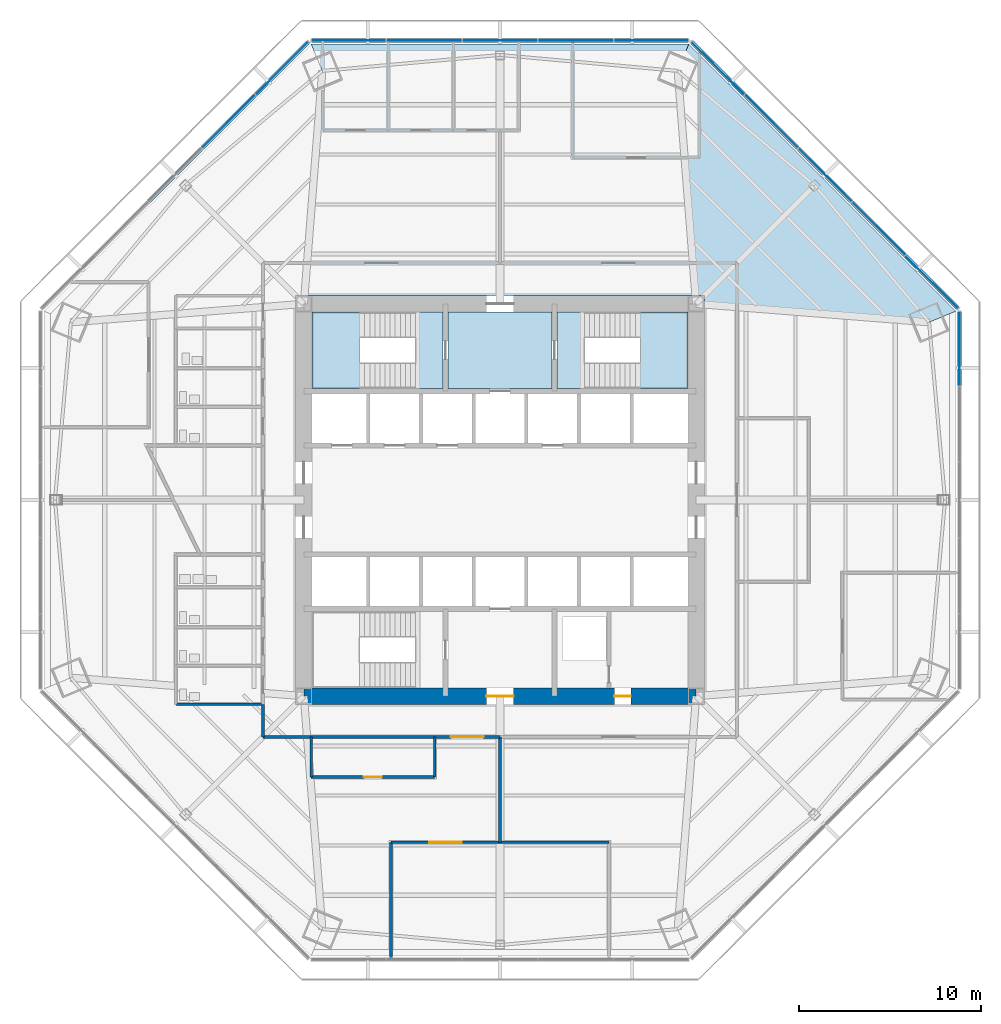
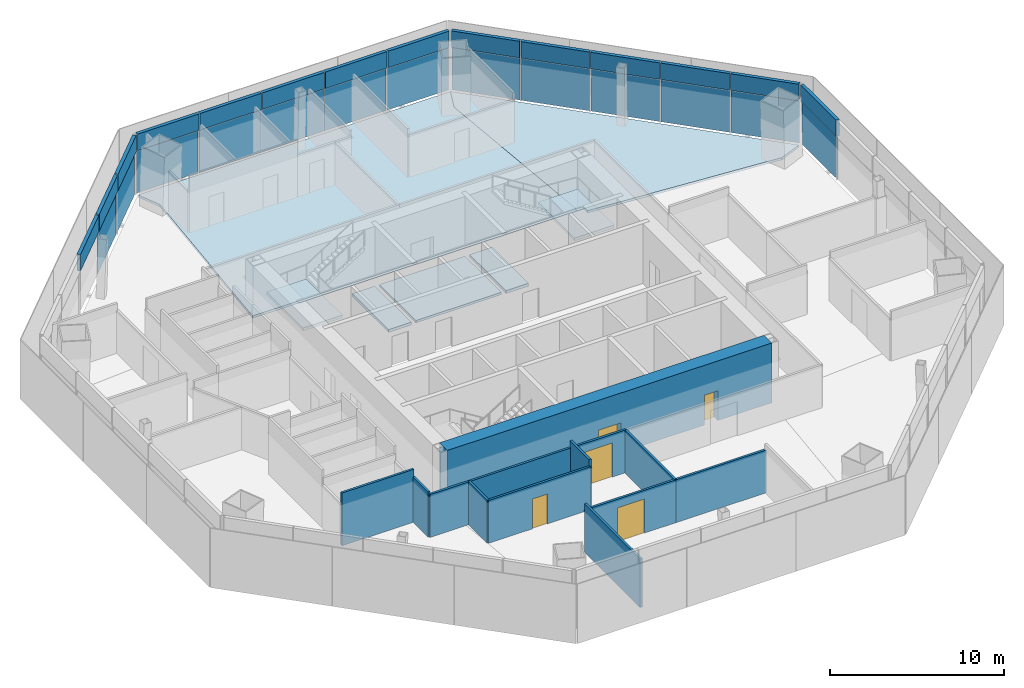
# One storey, part 9 of 16: 27 plates, 13 walls, 7 slabs, 5 doors, 5 openings, 6 elements without a shape of their own.
"""IFC4 building model written with IfcOpenShell, lengths in metres."""

from ifc_helpers import new_model, si_unit, direction, frame, frame_2d, origin, origin_2d, place, context, subcontext, project, spatial, polyline, rectangle, outline, extrude, source, transform, mapped, material, layer, layer_set, type_object, type_shapes, element, fill, aggregate, save


model = new_model("IFC4")

# Units and contexts
model_context = context("Model", 3, precision=1e-05, world=origin(), true_north=direction((0.0, 1.0)))
body_context = subcontext(model_context, "Body", "Model", "MODEL_VIEW")
ifc_project = project(units=[si_unit("LENGTHUNIT", "METRE"), si_unit("AREAUNIT", "SQUARE_METRE"), si_unit("VOLUMEUNIT", "CUBIC_METRE"), si_unit("PLANEANGLEUNIT", "RADIAN"), si_unit("MASSUNIT", "GRAM", prefix="KILO")], contexts=[model_context])

# Site, building, storey
site_placement = place(None, origin())
site = spatial("IfcSite", under=ifc_project, at=site_placement, CompositionType="ELEMENT")
building_placement = place(site_placement, origin())
building = spatial("IfcBuilding", under=site, at=building_placement, Name="Mashrafa Tower", CompositionType="ELEMENT")
storey_placement = place(building_placement, frame((0.0, 0.0, 96.0)))
storey = spatial("IfcBuildingStorey", under=building, at=storey_placement, Name="L21", CompositionType="ELEMENT", Elevation=96.0)

# Slabs
ifc_material_1 = material(Name="Concrete C35/45", Category="concrete")
ifc_layer_1 = layer(ifc_material_1, 0.1650390625)
ifc_layer_set_1 = layer_set([ifc_layer_1], Name="Floor slab 165")
slab_type_1 = type_object("IfcSlabType", Name="Floor slab 165", PredefinedType="FLOOR", material=ifc_layer_set_1)
slab_1_placement = place(storey_placement, frame((0.0, 0.0, -0.1650390625)))
element("IfcSlab", 1, at=slab_1_placement, inside=storey, type_object=slab_type_1, Name="Floor slab L21 north-east bay", PredefinedType="FLOOR", context=body_context, shape_type="SweptSolid", body=[
    extrude(outline(polyline([(10.396240234375, 25.09912109375), (25.09912109375, 10.396240234375), (25.09912109375, 10.396240234375), (23.62548828125, 9.785888671875), (11.25, 10.764404296875), (11.25, 11.25), (10.764404296875, 11.25), (9.785888671875, 23.62548828125), (10.396240234375, 25.09912109375), (10.396240234375, 25.09912109375)])), origin(), (0.0, 0.0, 1.0), 0.1650390625),
])
slab_2_placement = place(storey_placement, frame((0.0, 0.0, -0.1650390625)))
element("IfcSlab", 2, at=slab_2_placement, inside=storey, type_object=slab_type_1, Name="Floor slab L21 north bay", PredefinedType="FLOOR", context=body_context, shape_type="SweptSolid", body=[
    extrude(outline(polyline([(10.396240234375, 25.09912109375), (9.785888671875, 23.62548828125), (10.764404296875, 11.25), (-10.764404296875, 11.25), (-9.785888671875, 23.62548828125), (-10.396240234375, 25.09912109375), (10.396240234375, 25.09912109375)])), origin(), (0.0, 0.0, 1.0), 0.1650390625),
])
slab_3_placement = place(storey_placement, frame((0.0, 0.0, -0.1650390625)))
element("IfcSlab", 3, at=slab_3_placement, inside=storey, type_object=slab_type_1, Name="Core floor fire-fighting lobby north L21", PredefinedType="FLOOR", context=body_context, shape_type="SweptSolid", body=[
    extrude(outline(polyline([(-2.85009765625, 10.35009765625), (2.85009765625, 10.35009765625), (2.85009765625, 6.14990234375), (-2.85009765625, 6.14990234375), (-2.85009765625, 10.35009765625)])), origin(), (0.0, 0.0, 1.0), 0.1650390625),
])

# Stair, slabs
ifc_material_2 = material(Name="Exit stair 1400")
stair_type = type_object("IfcStairType", Name="Exit stair 1400", PredefinedType="HALF_TURN_STAIR", material=ifc_material_2)
stair_1_placement = place(storey_placement, origin())
stair_1 = element("IfcStair", 4, at=stair_1_placement, inside=storey, type_object=stair_type, Name="Stair S1 L21", PredefinedType="HALF_TURN_STAIR")
ifc_material_3 = material(Name="Concrete C32/40", Category="concrete")
ifc_layer_2 = layer(ifc_material_3, 0.199951171875)
ifc_layer_set_2 = layer_set([ifc_layer_2], Name="Stair landing 200")
slab_type_2 = type_object("IfcSlabType", Name="Stair landing 200", PredefinedType="LANDING", material=ifc_layer_set_2)
slab_4_placement = place(storey_placement, frame((0.0, 0.0, -0.199951171875)))
slab_4 = element("IfcSlab", 5, at=slab_4_placement, type_object=slab_type_2, Name="S1 landing 1", PredefinedType="LANDING", context=body_context, shape_type="SweptSolid", body=[
    extrude(outline(polyline([(-4.659912109375, 6.14990234375), (-3.14990234375, 6.14990234375), (-3.14990234375, 10.35009765625), (-4.659912109375, 10.35009765625), (-4.659912109375, 6.14990234375)])), origin(), (0.0, 0.0, 1.0), 0.199951171875),
])
slab_5_placement = place(storey_placement, frame((0.0, 0.0, 1.89990234375)))
slab_5 = element("IfcSlab", 6, at=slab_5_placement, type_object=slab_type_2, Name="S1 landing 2", PredefinedType="LANDING", context=body_context, shape_type="SweptSolid", body=[
    extrude(outline(polyline([(-10.35009765625, 6.14990234375), (-7.719970703125, 6.14990234375), (-7.719970703125, 10.35009765625), (-10.35009765625, 10.35009765625), (-10.35009765625, 6.14990234375)])), origin(), (0.0, 0.0, 1.0), 0.2001953125),
])
aggregate(stair_1, [slab_4, slab_5])

stair_2_placement = place(storey_placement, origin())
stair_2 = element("IfcStair", 7, at=stair_2_placement, inside=storey, type_object=stair_type, Name="Stair S2 L21", PredefinedType="HALF_TURN_STAIR")
slab_6_placement = place(storey_placement, frame((0.0, 0.0, -0.199951171875)))
slab_6 = element("IfcSlab", 8, at=slab_6_placement, type_object=slab_type_2, Name="S2 landing 1", PredefinedType="LANDING", context=body_context, shape_type="SweptSolid", body=[
    extrude(outline(polyline([(3.14990234375, 6.14990234375), (4.659912109375, 6.14990234375), (4.659912109375, 10.35009765625), (3.14990234375, 10.35009765625), (3.14990234375, 6.14990234375)])), origin(), (0.0, 0.0, 1.0), 0.199951171875),
])
slab_7_placement = place(storey_placement, frame((0.0, 0.0, 1.89990234375)))
slab_7 = element("IfcSlab", 9, at=slab_7_placement, type_object=slab_type_2, Name="S2 landing 2", PredefinedType="LANDING", context=body_context, shape_type="SweptSolid", body=[
    extrude(outline(polyline([(7.719970703125, 6.14990234375), (10.35009765625, 6.14990234375), (10.35009765625, 10.35009765625), (7.719970703125, 10.35009765625), (7.719970703125, 6.14990234375)])), origin(), (0.0, 0.0, 1.0), 0.2001953125),
])
aggregate(stair_2, [slab_6, slab_7])

# Curtain wall, plate
ifc_material_4 = material(Name="Unitised aluminium curtain wall", Category="aluminium")
curtain_wall_type = type_object("IfcCurtainWallType", Name="Office curtain wall, zone 1 CW-A 200 deep", PredefinedType="NOTDEFINED", material=ifc_material_4)
curtain_wall_1_placement = place(storey_placement, origin())
curtain_wall_1 = element("IfcCurtainWall", 10, at=curtain_wall_1_placement, inside=storey, type_object=curtain_wall_type, Name="Office curtain wall, zone 1 L21 east", PredefinedType="NOTDEFINED")
ifc_material_5 = material(Name="Insulated double glazing, low-e, neutral", Category="glass")
ifc_layer_3 = layer(ifc_material_5, 0.028076171875)
ifc_layer_set_3 = layer_set([ifc_layer_3], Name="Vision panel CW-A 28")
plate_type_1 = type_object("IfcPlateType", Name="Vision panel CW-A 28", PredefinedType="CURTAIN_PANEL", material=ifc_layer_set_3)
shared_shape_1 = source(origin(), body_context, "Body", "SweptSolid", [
    extrude(rectangle(XDim=4.07373046875, YDim=0.028076171875, at=origin_2d()), origin(), (0.0, 0.0, 1.0), 2.9599609375),
])
plate_1_placement = place(storey_placement, frame((25.299072265625, 8.325927734375, 0.0), z_axis=(0.0, 0.0, 1.0), x_axis=(0.0, 1.0, 0.0)))
plate_1 = element("IfcPlate", 11, at=plate_1_placement, type_object=plate_type_1, Name="CW-A vision panel 5", PredefinedType="CURTAIN_PANEL", context=body_context, shape_type="MappedRepresentation", body=[
    mapped(shared_shape_1, transform((0.0, 0.0, 0.0))),
])

# Curtain wall, plates
curtain_wall_2_placement = place(storey_placement, origin())
curtain_wall_2 = element("IfcCurtainWall", 12, at=curtain_wall_2_placement, inside=storey, type_object=curtain_wall_type, Name="Office curtain wall, zone 1 L21 north-east", PredefinedType="NOTDEFINED")
plate_2_placement = place(storey_placement, frame((23.7763671875, 12.001708984375, 0.0), z_axis=(0.0, 0.0, 1.0), x_axis=(-0.707106781187, 0.707106781187, 0.0)))
plate_2 = element("IfcPlate", 13, at=plate_2_placement, type_object=plate_type_1, Name="CW-A vision panel 1", PredefinedType="CURTAIN_PANEL", context=body_context, shape_type="MappedRepresentation", body=[
    mapped(shared_shape_1, transform((0.0, 0.0, 0.0))),
])
plate_3_placement = place(storey_placement, frame((12.001708984375, 23.7763671875, 0.0), z_axis=(0.0, 0.0, 1.0), x_axis=(-0.707106781187, 0.707106781187, 0.0)))
plate_3 = element("IfcPlate", 14, at=plate_3_placement, type_object=plate_type_1, Name="CW-A vision panel 5", PredefinedType="CURTAIN_PANEL", context=body_context, shape_type="MappedRepresentation", body=[
    mapped(shared_shape_1, transform((0.0, 0.0, 0.0))),
])

curtain_wall_3_placement = place(storey_placement, origin())
curtain_wall_3 = element("IfcCurtainWall", 15, at=curtain_wall_3_placement, inside=storey, type_object=curtain_wall_type, Name="Office curtain wall, zone 1 L21 north", PredefinedType="NOTDEFINED")
plate_4_placement = place(storey_placement, frame((8.325927734375, 25.299072265625, 0.0), z_axis=(0.0, 0.0, 1.0), x_axis=(-1.0, 0.0, 0.0)))
plate_4 = element("IfcPlate", 16, at=plate_4_placement, type_object=plate_type_1, Name="CW-A vision panel 1", PredefinedType="CURTAIN_PANEL", context=body_context, shape_type="MappedRepresentation", body=[
    mapped(shared_shape_1, transform((0.0, 0.0, 0.0))),
])
plate_5_placement = place(storey_placement, frame((-8.325927734375, 25.299072265625, 0.0), z_axis=(0.0, 0.0, 1.0), x_axis=(-1.0, 0.0, 0.0)))
plate_5 = element("IfcPlate", 17, at=plate_5_placement, type_object=plate_type_1, Name="CW-A vision panel 5", PredefinedType="CURTAIN_PANEL", context=body_context, shape_type="MappedRepresentation", body=[
    mapped(shared_shape_1, transform((0.0, 0.0, 0.0))),
])

# Curtain wall, plate
curtain_wall_4_placement = place(storey_placement, origin())
curtain_wall_4 = element("IfcCurtainWall", 18, at=curtain_wall_4_placement, inside=storey, type_object=curtain_wall_type, Name="Office curtain wall, zone 1 L21 north-west", PredefinedType="NOTDEFINED")
plate_6_placement = place(storey_placement, frame((-12.001708984375, 23.7763671875, 0.0), z_axis=(0.0, 0.0, 1.0), x_axis=(-0.707106781187, -0.707106781187, 0.0)))
plate_6 = element("IfcPlate", 19, at=plate_6_placement, type_object=plate_type_1, Name="CW-A vision panel 1", PredefinedType="CURTAIN_PANEL", context=body_context, shape_type="MappedRepresentation", body=[
    mapped(shared_shape_1, transform((0.0, 0.0, 0.0))),
])

# Plate
ifc_material_6 = material(Name="Insulated aluminium spandrel panel", Category="aluminium")
ifc_layer_4 = layer(ifc_material_6, 0.219970703125)
ifc_layer_set_4 = layer_set([ifc_layer_4], Name="Spandrel panel CW-A 220")
plate_type_2 = type_object("IfcPlateType", Name="Spandrel panel CW-A 220", PredefinedType="CURTAIN_PANEL", material=ifc_layer_set_4)
shared_shape_2 = source(origin(), body_context, "Body", "SweptSolid", [
    extrude(rectangle(XDim=4.07373046875, YDim=0.219970703125, at=origin_2d()), origin(), (0.0, 0.0, 1.0), 1.159912109375),
])
plate_7_placement = place(storey_placement, frame((25.299072265625, 8.325927734375, 3.0400390625), z_axis=(0.0, 0.0, 1.0), x_axis=(0.0, 1.0, 0.0)))
plate_7 = element("IfcPlate", 20, at=plate_7_placement, type_object=plate_type_2, Name="CW-A spandrel panel 5", PredefinedType="CURTAIN_PANEL", context=body_context, shape_type="MappedRepresentation", body=[
    mapped(shared_shape_2, transform((0.0, 0.0, 0.0))),
])

aggregate(curtain_wall_1, [plate_1, plate_7])

plate_8_placement = place(storey_placement, frame((23.7763671875, 12.001708984375, 3.0400390625), z_axis=(0.0, 0.0, 1.0), x_axis=(-0.707106781187, 0.707106781187, 0.0)))
plate_8 = element("IfcPlate", 21, at=plate_8_placement, type_object=plate_type_2, Name="CW-A spandrel panel 1", PredefinedType="CURTAIN_PANEL", context=body_context, shape_type="MappedRepresentation", body=[
    mapped(shared_shape_2, transform((0.0, 0.0, 0.0))),
])

plate_9_placement = place(storey_placement, frame((12.001708984375, 23.7763671875, 3.0400390625), z_axis=(0.0, 0.0, 1.0), x_axis=(-0.707106781187, 0.707106781187, 0.0)))
plate_9 = element("IfcPlate", 22, at=plate_9_placement, type_object=plate_type_2, Name="CW-A spandrel panel 5", PredefinedType="CURTAIN_PANEL", context=body_context, shape_type="MappedRepresentation", body=[
    mapped(shared_shape_2, transform((0.0, 0.0, 0.0))),
])

plate_10_placement = place(storey_placement, frame((8.325927734375, 25.299072265625, 3.0400390625), z_axis=(0.0, 0.0, 1.0), x_axis=(-1.0, 0.0, 0.0)))
plate_10 = element("IfcPlate", 23, at=plate_10_placement, type_object=plate_type_2, Name="CW-A spandrel panel 1", PredefinedType="CURTAIN_PANEL", context=body_context, shape_type="MappedRepresentation", body=[
    mapped(shared_shape_2, transform((0.0, 0.0, 0.0))),
])

plate_11_placement = place(storey_placement, frame((-8.325927734375, 25.299072265625, 3.0400390625), z_axis=(0.0, 0.0, 1.0), x_axis=(-1.0, 0.0, 0.0)))
plate_11 = element("IfcPlate", 24, at=plate_11_placement, type_object=plate_type_2, Name="CW-A spandrel panel 5", PredefinedType="CURTAIN_PANEL", context=body_context, shape_type="MappedRepresentation", body=[
    mapped(shared_shape_2, transform((0.0, 0.0, 0.0))),
])

plate_12_placement = place(storey_placement, frame((-12.001708984375, 23.7763671875, 3.0400390625), z_axis=(0.0, 0.0, 1.0), x_axis=(-0.707106781187, -0.707106781187, 0.0)))
plate_12 = element("IfcPlate", 25, at=plate_12_placement, type_object=plate_type_2, Name="CW-A spandrel panel 1", PredefinedType="CURTAIN_PANEL", context=body_context, shape_type="MappedRepresentation", body=[
    mapped(shared_shape_2, transform((0.0, 0.0, 0.0))),
])

shared_shape_3 = source(origin(), body_context, "Body", "SweptSolid", [
    extrude(rectangle(XDim=4.106201171875, YDim=0.028076171875, at=origin_2d()), origin(), (0.0, 0.0, 1.0), 2.9599609375),
])
type_shapes(plate_type_1, [shared_shape_1, shared_shape_3])
plate_13_placement = place(storey_placement, frame((20.838623046875, 14.939697265625, 0.0), z_axis=(0.0, 0.0, 1.0), x_axis=(-0.707106781187, 0.707106781187, 0.0)))
plate_13 = element("IfcPlate", 26, at=plate_13_placement, type_object=plate_type_1, Name="CW-A vision panel 2", PredefinedType="CURTAIN_PANEL", context=body_context, shape_type="MappedRepresentation", body=[
    mapped(shared_shape_3, transform((0.0, 0.0, 0.0))),
])

plate_14_placement = place(storey_placement, frame((17.88916015625, 17.88916015625, 0.0), z_axis=(0.0, 0.0, 1.0), x_axis=(-0.707106781187, 0.707106781187, 0.0)))
plate_14 = element("IfcPlate", 27, at=plate_14_placement, type_object=plate_type_1, Name="CW-A vision panel 3", PredefinedType="CURTAIN_PANEL", context=body_context, shape_type="MappedRepresentation", body=[
    mapped(shared_shape_3, transform((0.0, 0.0, 0.0))),
])

plate_15_placement = place(storey_placement, frame((14.939697265625, 20.838623046875, 0.0), z_axis=(0.0, 0.0, 1.0), x_axis=(-0.707106781187, 0.707106781187, 0.0)))
plate_15 = element("IfcPlate", 28, at=plate_15_placement, type_object=plate_type_1, Name="CW-A vision panel 4", PredefinedType="CURTAIN_PANEL", context=body_context, shape_type="MappedRepresentation", body=[
    mapped(shared_shape_3, transform((0.0, 0.0, 0.0))),
])

plate_16_placement = place(storey_placement, frame((4.171142578125, 25.299072265625, 0.0), z_axis=(0.0, 0.0, 1.0), x_axis=(-1.0, 0.0, 0.0)))
plate_16 = element("IfcPlate", 29, at=plate_16_placement, type_object=plate_type_1, Name="CW-A vision panel 2", PredefinedType="CURTAIN_PANEL", context=body_context, shape_type="MappedRepresentation", body=[
    mapped(shared_shape_3, transform((0.0, 0.0, 0.0))),
])

plate_17_placement = place(storey_placement, frame((0.0, 25.299072265625, 0.0), z_axis=(0.0, 0.0, 1.0), x_axis=(-1.0, 0.0, 0.0)))
plate_17 = element("IfcPlate", 30, at=plate_17_placement, type_object=plate_type_1, Name="CW-A vision panel 3", PredefinedType="CURTAIN_PANEL", context=body_context, shape_type="MappedRepresentation", body=[
    mapped(shared_shape_3, transform((0.0, 0.0, 0.0))),
])

plate_18_placement = place(storey_placement, frame((-4.171142578125, 25.299072265625, 0.0), z_axis=(0.0, 0.0, 1.0), x_axis=(-1.0, 0.0, 0.0)))
plate_18 = element("IfcPlate", 31, at=plate_18_placement, type_object=plate_type_1, Name="CW-A vision panel 4", PredefinedType="CURTAIN_PANEL", context=body_context, shape_type="MappedRepresentation", body=[
    mapped(shared_shape_3, transform((0.0, 0.0, 0.0))),
])

plate_19_placement = place(storey_placement, frame((-14.939697265625, 20.838623046875, 0.0), z_axis=(0.0, 0.0, 1.0), x_axis=(-0.707106781187, -0.707106781187, 0.0)))
plate_19 = element("IfcPlate", 32, at=plate_19_placement, type_object=plate_type_1, Name="CW-A vision panel 2", PredefinedType="CURTAIN_PANEL", context=body_context, shape_type="MappedRepresentation", body=[
    mapped(shared_shape_3, transform((0.0, 0.0, 0.0))),
])

shared_shape_4 = source(origin(), body_context, "Body", "SweptSolid", [
    extrude(rectangle(XDim=4.106201171875, YDim=0.219970703125, at=origin_2d()), origin(), (0.0, 0.0, 1.0), 1.159912109375),
])
type_shapes(plate_type_2, [shared_shape_2, shared_shape_4])
plate_20_placement = place(storey_placement, frame((20.838623046875, 14.939697265625, 3.0400390625), z_axis=(0.0, 0.0, 1.0), x_axis=(-0.707106781187, 0.707106781187, 0.0)))
plate_20 = element("IfcPlate", 33, at=plate_20_placement, type_object=plate_type_2, Name="CW-A spandrel panel 2", PredefinedType="CURTAIN_PANEL", context=body_context, shape_type="MappedRepresentation", body=[
    mapped(shared_shape_4, transform((0.0, 0.0, 0.0))),
])

plate_21_placement = place(storey_placement, frame((17.88916015625, 17.88916015625, 3.0400390625), z_axis=(0.0, 0.0, 1.0), x_axis=(-0.707106781187, 0.707106781187, 0.0)))
plate_21 = element("IfcPlate", 34, at=plate_21_placement, type_object=plate_type_2, Name="CW-A spandrel panel 3", PredefinedType="CURTAIN_PANEL", context=body_context, shape_type="MappedRepresentation", body=[
    mapped(shared_shape_4, transform((0.0, 0.0, 0.0))),
])

plate_22_placement = place(storey_placement, frame((14.939697265625, 20.838623046875, 3.0400390625), z_axis=(0.0, 0.0, 1.0), x_axis=(-0.707106781187, 0.707106781187, 0.0)))
plate_22 = element("IfcPlate", 35, at=plate_22_placement, type_object=plate_type_2, Name="CW-A spandrel panel 4", PredefinedType="CURTAIN_PANEL", context=body_context, shape_type="MappedRepresentation", body=[
    mapped(shared_shape_4, transform((0.0, 0.0, 0.0))),
])

aggregate(curtain_wall_2, [plate_2, plate_8, plate_13, plate_20, plate_14, plate_21, plate_15, plate_22, plate_3, plate_9])

plate_23_placement = place(storey_placement, frame((4.171142578125, 25.299072265625, 3.0400390625), z_axis=(0.0, 0.0, 1.0), x_axis=(-1.0, 0.0, 0.0)))
plate_23 = element("IfcPlate", 36, at=plate_23_placement, type_object=plate_type_2, Name="CW-A spandrel panel 2", PredefinedType="CURTAIN_PANEL", context=body_context, shape_type="MappedRepresentation", body=[
    mapped(shared_shape_4, transform((0.0, 0.0, 0.0))),
])

plate_24_placement = place(storey_placement, frame((0.0, 25.299072265625, 3.0400390625), z_axis=(0.0, 0.0, 1.0), x_axis=(-1.0, 0.0, 0.0)))
plate_24 = element("IfcPlate", 37, at=plate_24_placement, type_object=plate_type_2, Name="CW-A spandrel panel 3", PredefinedType="CURTAIN_PANEL", context=body_context, shape_type="MappedRepresentation", body=[
    mapped(shared_shape_4, transform((0.0, 0.0, 0.0))),
])

plate_25_placement = place(storey_placement, frame((-4.171142578125, 25.299072265625, 3.0400390625), z_axis=(0.0, 0.0, 1.0), x_axis=(-1.0, 0.0, 0.0)))
plate_25 = element("IfcPlate", 38, at=plate_25_placement, type_object=plate_type_2, Name="CW-A spandrel panel 4", PredefinedType="CURTAIN_PANEL", context=body_context, shape_type="MappedRepresentation", body=[
    mapped(shared_shape_4, transform((0.0, 0.0, 0.0))),
])

aggregate(curtain_wall_3, [plate_4, plate_10, plate_16, plate_23, plate_17, plate_24, plate_18, plate_25, plate_5, plate_11])

plate_26_placement = place(storey_placement, frame((-14.939697265625, 20.838623046875, 3.0400390625), z_axis=(0.0, 0.0, 1.0), x_axis=(-0.707106781187, -0.707106781187, 0.0)))
plate_26 = element("IfcPlate", 39, at=plate_26_placement, type_object=plate_type_2, Name="CW-A spandrel panel 2", PredefinedType="CURTAIN_PANEL", context=body_context, shape_type="MappedRepresentation", body=[
    mapped(shared_shape_4, transform((0.0, 0.0, 0.0))),
])

plate_27_placement = place(storey_placement, frame((-17.88916015625, 17.88916015625, 3.0400390625), z_axis=(0.0, 0.0, 1.0), x_axis=(-0.707106781187, -0.707106781187, 0.0)))
plate_27 = element("IfcPlate", 40, at=plate_27_placement, type_object=plate_type_2, Name="CW-A spandrel panel 3", PredefinedType="CURTAIN_PANEL", context=body_context, shape_type="MappedRepresentation", body=[
    mapped(shared_shape_4, transform((0.0, 0.0, 0.0))),
])

aggregate(curtain_wall_4, [plate_6, plate_12, plate_19, plate_26, plate_27])

# Wall, openings, doors
ifc_material_7 = material(Name="Concrete C60/75", Category="concrete")
ifc_layer_5 = layer(ifc_material_7, 0.89990234375)
ifc_layer_set_5 = layer_set([ifc_layer_5], Name="Core wall 900 C60/75")
wall_type_1 = type_object("IfcWallType", Name="Core wall 900 C60/75", PredefinedType="SOLIDWALL", material=ifc_layer_set_5)
wall_1_placement = place(storey_placement, frame((-10.800048828125, -10.800048828125, 0.0), z_axis=(0.0, 0.0, 1.0), x_axis=(1.0, 0.0, 0.0)))
wall_1 = element("IfcWall", 41, at=wall_1_placement, inside=storey, type_object=wall_type_1, Name="Core wall CW-S L21", PredefinedType="SOLIDWALL", context=body_context, shape_type="SweptSolid", body=[
    extrude(rectangle(XDim=21.60009765625, YDim=0.89990234375, at=frame_2d((10.800048828125, 0.0))), origin(), (0.0, 0.0, 1.0), 4.199951171875),
])
opening_1_placement = place(wall_1_placement, frame((10.050048828125, 0.0, 0.0)))
opening_1 = element("IfcOpeningElement", 42, at=opening_1_placement, cuts=wall_1, Name="Opening 21.028", PredefinedType="OPENING", context=body_context, shape_type="SweptSolid", body=[
    extrude(rectangle(XDim=1.5, YDim=2.10009765625, at=frame_2d((0.75, 1.050048828125))), frame((0.0, 0.4599609375, 0.0), z_axis=(0.0, -1.0, 0.0), x_axis=(1.0, 0.0, 0.0)), (0.0, 0.0, 1.0), 0.919921875),
])
opening_2_placement = place(wall_1_placement, frame((17.10009765625, 0.0, 0.0)))
opening_2 = element("IfcOpeningElement", 43, at=opening_2_placement, cuts=wall_1, Name="Opening 21.032", PredefinedType="OPENING", context=body_context, shape_type="SweptSolid", body=[
    extrude(rectangle(XDim=0.89990234375, YDim=2.10009765625, at=frame_2d((0.449951171875, 1.050048828125))), frame((0.0, 0.4599609375, 0.0), z_axis=(0.0, -1.0, 0.0), x_axis=(1.0, 0.0, 0.0)), (0.0, 0.0, 1.0), 0.919921875),
])
ifc_material_8 = material(Name="Steel door", Category="steel")
door_type_1 = type_object("IfcDoorType", Name="Lobby door pair 1500 x 2100 90 min", OperationType="DOUBLE_DOOR_SINGLE_SWING", PredefinedType="DOOR", material=ifc_material_8)
door_1_placement = place(opening_1_placement, origin())
door_1 = element("IfcDoor", 44, at=door_1_placement, inside=storey, type_object=door_type_1, Name="Fire-fighting lobby F2 door L21", OperationType="DOUBLE_DOOR_SINGLE_SWING", OverallHeight=2.10009765625, OverallWidth=1.5, PredefinedType="DOOR", context=body_context, shape_type="SweptSolid", body=[
    extrude(rectangle(XDim=1.5, YDim=2.10009765625, at=frame_2d((0.75, 1.050048828125))), frame((0.0, 0.02490234375, 0.0), z_axis=(0.0, -1.0, 0.0), x_axis=(1.0, 0.0, 0.0)), (0.0, 0.0, 1.0), 0.050048828125),
])
fill(opening_1, door_1)
ifc_material_9 = material(Name="Steel door", Category="steel")
door_type_2 = type_object("IfcDoorType", Name="Service door 900 x 2100 90 min", OperationType="USERDEFINED", PredefinedType="DOOR", material=ifc_material_9)
door_2_placement = place(opening_2_placement, origin())
door_2 = element("IfcDoor", 45, at=door_2_placement, inside=storey, type_object=door_type_2, Name="Tenant Store L21 door", OperationType="SINGLE_SWING_LEFT", OverallHeight=2.10009765625, OverallWidth=0.89990234375, PredefinedType="DOOR", context=body_context, shape_type="SweptSolid", body=[
    extrude(rectangle(XDim=0.89990234375, YDim=2.10009765625, at=frame_2d((0.449951171875, 1.050048828125))), frame((0.0, 0.02490234375, 0.0), z_axis=(0.0, -1.0, 0.0), x_axis=(1.0, 0.0, 0.0)), (0.0, 0.0, 1.0), 0.050048828125),
])
fill(opening_2, door_2)

# Walls
ifc_material_10 = material(Name="Gypsum board on steel studs", Category="steel")
ifc_layer_6 = layer(ifc_material_10, 0.14990234375)
ifc_layer_set_6 = layer_set([ifc_layer_6], Name="Corridor partition 150 1 hr")
wall_type_2 = type_object("IfcWallType", Name="Corridor partition 150 1 hr", PredefinedType="PARTITIONING", material=ifc_layer_set_6)
wall_2_placement = place(storey_placement, frame((-10.40087890625, -13.050048828125, 0.0), z_axis=(0.0, 0.0, 1.0), x_axis=(1.0, 0.0, 0.0)))
element("IfcWall", 46, at=wall_2_placement, inside=storey, type_object=wall_type_2, Name="Corridor wall L21-011", PredefinedType="PARTITIONING", context=body_context, shape_type="SweptSolid", body=[
    extrude(rectangle(XDim=6.8017578125, YDim=0.14990234375, at=frame_2d((3.40087890625, 0.0))), origin(), (0.0, 0.0, 1.0), 3.01416015625),
])
wall_3_placement = place(storey_placement, frame((-13.050048828125, -11.2490234375, 0.0), z_axis=(0.0, 0.0, 1.0), x_axis=(0.0, -1.0, 0.0)))
element("IfcWall", 47, at=wall_3_placement, inside=storey, type_object=wall_type_2, Name="Corridor wall L21-016", PredefinedType="PARTITIONING", context=body_context, shape_type="SweptSolid", body=[
    extrude(rectangle(XDim=1.801025390625, YDim=0.14990234375, at=frame_2d((0.900390625, 0.0))), origin(), (0.0, 0.0, 1.0), 3.17919921875),
])
wall_4_placement = place(storey_placement, frame((-13.050048828125, -13.050048828125, 0.0), z_axis=(0.0, 0.0, 1.0), x_axis=(1.0, 0.0, 0.0)))
element("IfcWall", 48, at=wall_4_placement, inside=storey, type_object=wall_type_2, Name="Corridor wall L21-017", PredefinedType="PARTITIONING", context=body_context, shape_type="SweptSolid", body=[
    extrude(rectangle(XDim=2.651123046875, YDim=0.14990234375, at=frame_2d((1.32568359375, 0.0))), origin(), (0.0, 0.0, 1.0), 3.01416015625),
])

# Wall, opening, door
wall_5_placement = place(storey_placement, frame((-3.60107421875, -13.050048828125, 0.0), z_axis=(0.0, 0.0, 1.0), x_axis=(1.0, 0.0, 0.0)))
wall_5 = element("IfcWall", 49, at=wall_5_placement, inside=storey, type_object=wall_type_2, Name="Corridor wall L21-018", PredefinedType="PARTITIONING", context=body_context, shape_type="SweptSolid", body=[
    extrude(rectangle(XDim=3.60205078125, YDim=0.14990234375, at=frame_2d((1.801025390625, 0.0))), origin(), (0.0, 0.0, 1.0), 3.01416015625),
])
opening_3_placement = place(wall_5_placement, frame((0.90087890625, 0.0, 0.0)))
opening_3 = element("IfcOpeningElement", 50, at=opening_3_placement, cuts=wall_5, Name="Opening 21.021", PredefinedType="OPENING", context=body_context, shape_type="SweptSolid", body=[
    extrude(rectangle(XDim=1.800048828125, YDim=2.39990234375, at=frame_2d((0.89990234375, 1.199951171875))), frame((0.0, 0.0849609375, 0.0), z_axis=(0.0, -1.0, 0.0), x_axis=(1.0, 0.0, 0.0)), (0.0, 0.0, 1.0), 0.169921875),
])
ifc_material_11 = material(Name="Timber door", Category="wood")
door_type_3 = type_object("IfcDoorType", Name="Door pair 1800 x 2400", OperationType="DOUBLE_DOOR_SINGLE_SWING", PredefinedType="DOOR", material=ifc_material_11)
door_3_placement = place(opening_3_placement, frame((1.800048828125, 0.0, 0.0), z_axis=(0.0, 0.0, 1.0), x_axis=(-1.0, 0.0, 0.0)))
door_3 = element("IfcDoor", 51, at=door_3_placement, inside=storey, type_object=door_type_3, Name="Investor Relations Office 21-SW door", OperationType="DOUBLE_DOOR_SINGLE_SWING", OverallHeight=2.39990234375, OverallWidth=1.800048828125, PredefinedType="DOOR", context=body_context, shape_type="SweptSolid", body=[
    extrude(rectangle(XDim=1.800048828125, YDim=2.39990234375, at=frame_2d((0.89990234375, 1.199951171875))), frame((0.0, 0.02490234375, 0.0), z_axis=(0.0, -1.0, 0.0), x_axis=(1.0, 0.0, 0.0)), (0.0, 0.0, 1.0), 0.050048828125),
])
fill(opening_3, door_3)

# Wall
ifc_material_12 = material(Name="Gypsum board on steel studs", Category="steel")
ifc_layer_7 = layer(ifc_material_12, 0.14990234375)
ifc_layer_set_7 = layer_set([ifc_layer_7], Name="Partition 150")
wall_type_3 = type_object("IfcWallType", Name="Partition 150", PredefinedType="PARTITIONING", material=ifc_layer_set_7)
wall_6_placement = place(storey_placement, frame((-17.85009765625, -11.25, 0.0), z_axis=(0.0, 0.0, 1.0), x_axis=(1.0, 0.0, 0.0)))
element("IfcWall", 52, at=wall_6_placement, inside=storey, type_object=wall_type_3, Name="Partition wall L21-032", PredefinedType="PARTITIONING", context=body_context, shape_type="SweptSolid", body=[
    extrude(rectangle(XDim=4.800048828125, YDim=0.14990234375, at=frame_2d((2.39990234375, 0.0))), origin(), (0.0, 0.0, 1.0), 3.715087890625),
])

# Wall, opening, door
wall_7_placement = place(storey_placement, frame((0.0009765625, -18.84912109375, 0.0), z_axis=(0.0, 0.0, 1.0), x_axis=(-1.0, 0.0, 0.0)))
wall_7 = element("IfcWall", 53, at=wall_7_placement, inside=storey, type_object=wall_type_3, Name="Partition wall L21-050", PredefinedType="PARTITIONING", context=body_context, shape_type="SweptSolid", body=[
    extrude(rectangle(XDim=6.0009765625, YDim=0.14990234375, at=frame_2d((3.00048828125, 0.0))), origin(), (0.0, 0.0, 1.0), 3.01416015625),
])
opening_4_placement = place(wall_7_placement, frame((2.1005859375, 0.0, 0.0)))
opening_4 = element("IfcOpeningElement", 54, at=opening_4_placement, cuts=wall_7, Name="Opening 21.012", PredefinedType="OPENING", context=body_context, shape_type="SweptSolid", body=[
    extrude(rectangle(XDim=1.800048828125, YDim=2.39990234375, at=frame_2d((0.89990234375, 1.199951171875))), frame((0.0, 0.0849609375, 0.0), z_axis=(0.0, -1.0, 0.0), x_axis=(1.0, 0.0, 0.0)), (0.0, 0.0, 1.0), 0.169921875),
])
door_4_placement = place(opening_4_placement, origin())
door_4 = element("IfcDoor", 55, at=door_4_placement, inside=storey, type_object=door_type_3, Name="Board Room 21 door", OperationType="DOUBLE_DOOR_SINGLE_SWING", OverallHeight=2.39990234375, OverallWidth=1.800048828125, PredefinedType="DOOR", context=body_context, shape_type="SweptSolid", body=[
    extrude(rectangle(XDim=1.800048828125, YDim=2.39990234375, at=frame_2d((0.89990234375, 1.199951171875))), frame((0.0, 0.02490234375, 0.0), z_axis=(0.0, -1.0, 0.0), x_axis=(1.0, 0.0, 0.0)), (0.0, 0.0, 1.0), 0.050048828125),
])
fill(opening_4, door_4)

# Walls
wall_8_placement = place(storey_placement, frame((-6.0, -18.84912109375, 0.0), z_axis=(0.0, 0.0, 1.0), x_axis=(0.0, -1.0, 0.0)))
element("IfcWall", 56, at=wall_8_placement, inside=storey, type_object=wall_type_3, Name="Partition wall L21-051", PredefinedType="PARTITIONING", context=body_context, shape_type="SweptSolid", body=[
    extrude(rectangle(XDim=6.431884765625, YDim=0.14990234375, at=frame_2d((3.2158203125, 0.0))), origin(), (0.0, 0.0, 1.0), 3.423095703125),
])
wall_9_placement = place(storey_placement, frame((6.0, -18.84912109375, 0.0), z_axis=(0.0, 0.0, 1.0), x_axis=(-1.0, 0.0, 0.0)))
element("IfcWall", 57, at=wall_9_placement, inside=storey, type_object=wall_type_3, Name="Partition wall L21-053", PredefinedType="PARTITIONING", context=body_context, shape_type="SweptSolid", body=[
    extrude(rectangle(XDim=6.0009765625, YDim=0.14990234375, at=frame_2d((3.00048828125, 0.0))), origin(), (0.0, 0.0, 1.0), 3.01416015625),
])
wall_10_placement = place(storey_placement, frame((-10.39990234375, -13.050048828125, 0.0), z_axis=(0.0, 0.0, 1.0), x_axis=(0.0, -1.0, 0.0)))
element("IfcWall", 58, at=wall_10_placement, inside=storey, type_object=wall_type_3, Name="Partition wall L21-060", PredefinedType="PARTITIONING", context=body_context, shape_type="SweptSolid", body=[
    extrude(rectangle(XDim=2.199951171875, YDim=0.14990234375, at=frame_2d((1.10009765625, 0.0))), origin(), (0.0, 0.0, 1.0), 3.01416015625),
])

# Wall, opening, door
wall_11_placement = place(storey_placement, frame((-10.39990234375, -15.25, 0.0), z_axis=(0.0, 0.0, 1.0), x_axis=(1.0, 0.0, 0.0)))
wall_11 = element("IfcWall", 59, at=wall_11_placement, inside=storey, type_object=wall_type_3, Name="Partition wall L21-061", PredefinedType="PARTITIONING", context=body_context, shape_type="SweptSolid", body=[
    extrude(rectangle(XDim=6.7998046875, YDim=0.14990234375, at=frame_2d((3.39990234375, 0.0))), origin(), (0.0, 0.0, 1.0), 3.01416015625),
])
opening_5_placement = place(wall_11_placement, frame((2.89990234375, 0.0, 0.0)))
opening_5 = element("IfcOpeningElement", 60, at=opening_5_placement, cuts=wall_11, Name="Opening 21.015", PredefinedType="OPENING", context=body_context, shape_type="SweptSolid", body=[
    extrude(rectangle(XDim=1.0, YDim=2.10009765625, at=frame_2d((0.5, 1.050048828125))), frame((0.0, 0.0849609375, 0.0), z_axis=(0.0, -1.0, 0.0), x_axis=(1.0, 0.0, 0.0)), (0.0, 0.0, 1.0), 0.169921875),
])
ifc_material_13 = material(Name="Timber door", Category="wood")
door_type_4 = type_object("IfcDoorType", Name="Door 1000 x 2100", OperationType="USERDEFINED", PredefinedType="DOOR", material=ifc_material_13)
door_5_placement = place(opening_5_placement, origin())
door_5 = element("IfcDoor", 61, at=door_5_placement, inside=storey, type_object=door_type_4, Name="Executive Pantry 21 door", OperationType="SINGLE_SWING_LEFT", OverallHeight=2.10009765625, OverallWidth=1.0, PredefinedType="DOOR", context=body_context, shape_type="SweptSolid", body=[
    extrude(rectangle(XDim=1.0, YDim=2.10009765625, at=frame_2d((0.5, 1.050048828125))), frame((0.0, 0.02490234375, 0.0), z_axis=(0.0, -1.0, 0.0), x_axis=(1.0, 0.0, 0.0)), (0.0, 0.0, 1.0), 0.050048828125),
])
fill(opening_5, door_5)

# Walls
wall_12_placement = place(storey_placement, frame((-3.60009765625, -15.25, 0.0), z_axis=(0.0, 0.0, 1.0), x_axis=(0.0, 1.0, 0.0)))
element("IfcWall", 62, at=wall_12_placement, inside=storey, type_object=wall_type_3, Name="Partition wall L21-062", PredefinedType="PARTITIONING", context=body_context, shape_type="SweptSolid", body=[
    extrude(rectangle(XDim=2.199951171875, YDim=0.14990234375, at=frame_2d((1.10009765625, 0.0))), origin(), (0.0, 0.0, 1.0), 3.49169921875),
])
wall_13_placement = place(storey_placement, frame((0.0, -18.84912109375, 0.0), z_axis=(0.0, 0.0, 1.0), x_axis=(0.0, 1.0, 0.0)))
element("IfcWall", 63, at=wall_13_placement, inside=storey, type_object=wall_type_3, Name="Partition wall L21-075", PredefinedType="PARTITIONING", context=body_context, shape_type="SweptSolid", body=[
    extrude(rectangle(XDim=5.799072265625, YDim=0.14990234375, at=frame_2d((2.8994140625, 0.0))), origin(), (0.0, 0.0, 1.0), 3.01416015625),
])

save(model, "model.ifc")
